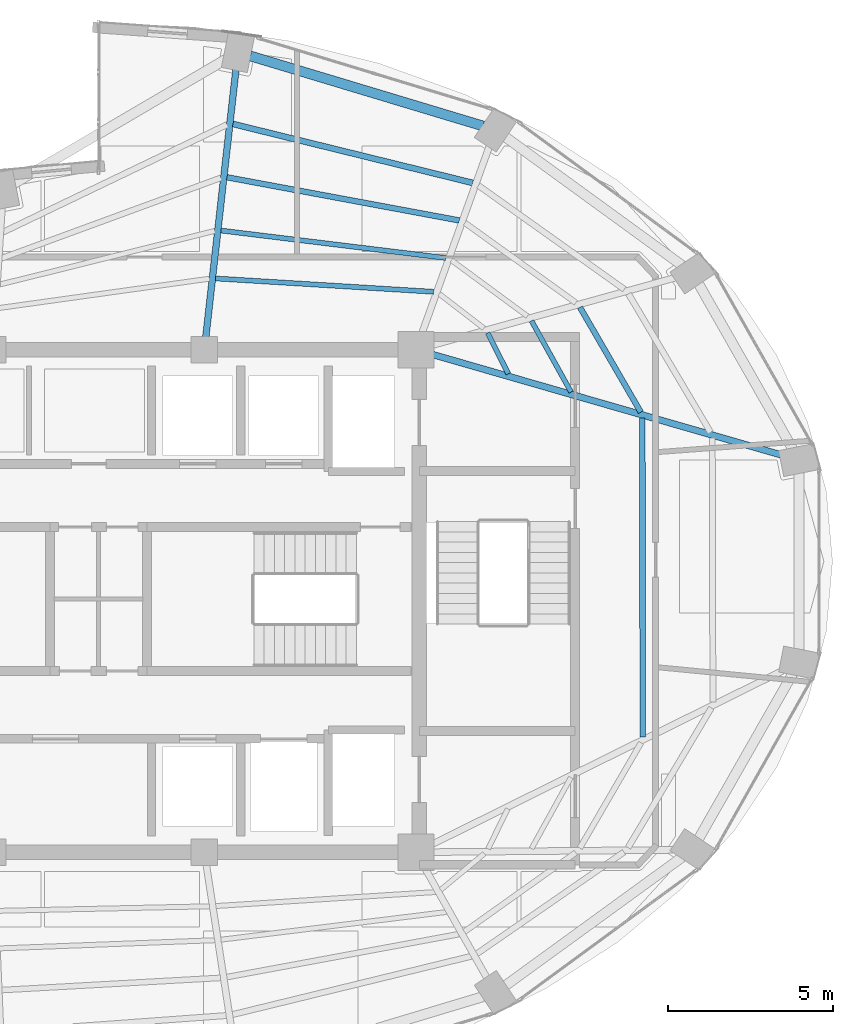
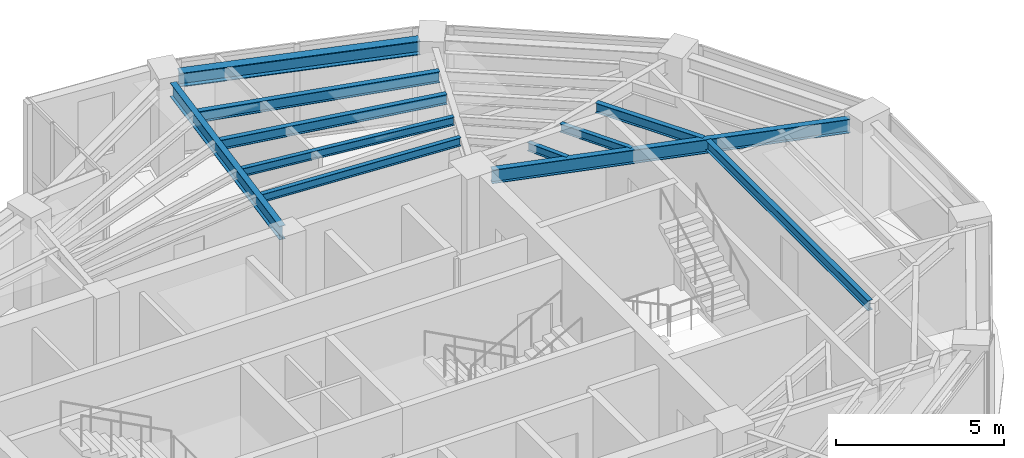
# One storey, part 5 of 15: 11 beams.
"""IFC4 building model written with IfcOpenShell, lengths in metres."""

from ifc_helpers import new_model, si_unit, direction, frame, origin, origin_2d, place, context, subcontext, project, spatial, i_section, extrude, material, material_profile, profile_set, type_object, element, save


model = new_model("IFC4")

# Units and contexts
model_context = context("Model", 3, precision=1e-05, world=origin(), true_north=direction((0.0, 1.0)))
body_context = subcontext(model_context, "Body", "Model", "MODEL_VIEW")
ifc_project = project(units=[si_unit("LENGTHUNIT", "METRE"), si_unit("AREAUNIT", "SQUARE_METRE"), si_unit("VOLUMEUNIT", "CUBIC_METRE"), si_unit("PLANEANGLEUNIT", "RADIAN"), si_unit("MASSUNIT", "GRAM", prefix="KILO")], contexts=[model_context])

# Site, building, storey
site_placement = place(None, origin())
site = spatial("IfcSite", under=ifc_project, at=site_placement, CompositionType="ELEMENT")
building_placement = place(site_placement, origin())
building = spatial("IfcBuilding", under=site, at=building_placement, Name="Lazwardi Medical Tower", CompositionType="ELEMENT")
storey_placement = place(building_placement, frame((0.0, 0.0, 284.2080078125)))
storey = spatial("IfcBuildingStorey", under=building, at=storey_placement, Name="L74", CompositionType="ELEMENT", Elevation=284.2080078125)

# Beams
ifc_material = material(Name="Steel S355", Category="steel")
ifc_material_profile_1 = material_profile(ifc_material, i_section(OverallWidth=0.300048828125, OverallDepth=0.5, WebThickness=0.014404296875, FlangeThickness=0.028076171875, at=origin_2d()), Name="HEB 500")
ifc_profile_set_1 = profile_set([ifc_material_profile_1], Name="Steel S355")
beam_type_1 = type_object("IfcBeamType", Name="BM-RB-Z4", PredefinedType="BEAM", material=ifc_profile_set_1)
beam_1_placement = place(storey_placement, frame((47.626953125, 42.366455078125, 3.197998046875), z_axis=(-0.957544311906, 0.288286126506, 0.0), x_axis=(-0.288286126506, -0.957544311906, 0.0)))
element("IfcBeam", 1, at=beam_1_placement, inside=storey, type_object=beam_type_1, Name="Ring beam RB-05 B07 L74", PredefinedType="BEAM", context=body_context, shape_type="SweptSolid", body=[
    extrude(i_section(OverallWidth=0.300048828125, OverallDepth=0.5, WebThickness=0.014404296875, FlangeThickness=0.028076171875, at=origin_2d()), origin(), (0.0, 0.0, 1.0), 7.3515625),
])
ifc_material_profile_2 = material_profile(ifc_material, i_section(OverallWidth=0.199951171875, OverallDepth=0.5, WebThickness=0.01025390625, FlangeThickness=0.01611328125, at=origin_2d()), Name="IPE 500")
ifc_profile_set_2 = profile_set([ifc_material_profile_2], Name="Steel S355")
beam_type_2 = type_object("IfcBeamType", Name="BM-RG-W3", PredefinedType="BEAM", material=ifc_profile_set_2)
beam_2_placement = place(storey_placement, frame((56.6708984375, 32.410888671875, 3.197998046875), z_axis=(-0.960926292206, 0.276804373065, 0.0), x_axis=(-0.276804373065, -0.960926292206, 0.0)))
element("IfcBeam", 2, at=beam_2_placement, inside=storey, type_object=beam_type_2, Name="Radial girder RG-04 R05 L74", PredefinedType="BEAM", context=body_context, shape_type="SweptSolid", body=[
    extrude(i_section(OverallWidth=0.199951171875, OverallDepth=0.5, WebThickness=0.01025390625, FlangeThickness=0.01611328125, at=origin_2d()), origin(), (0.0, 0.0, 1.0), 10.986083984375),
])
beam_3_placement = place(storey_placement, frame((40.154052734375, 44.066650390625, 3.197998046875), z_axis=(-0.11196962105, -0.993711630183, 0.0), x_axis=(0.993711630183, -0.11196962105, 0.0)))
element("IfcBeam", 3, at=beam_3_placement, inside=storey, type_object=beam_type_2, Name="Radial girder RG-04 R08 L74", PredefinedType="BEAM", context=body_context, shape_type="SweptSolid", body=[
    extrude(i_section(OverallWidth=0.199951171875, OverallDepth=0.5, WebThickness=0.01025390625, FlangeThickness=0.01611328125, at=origin_2d()), origin(), (0.0, 0.0, 1.0), 8.13525390625),
])
ifc_material_profile_3 = material_profile(ifc_material, i_section(OverallWidth=0.179931640625, OverallDepth=0.39990234375, WebThickness=0.008544921875, FlangeThickness=0.013427734375, at=origin_2d()), Name="IPE 400")
ifc_profile_set_3 = profile_set([ifc_material_profile_3], Name="Steel S355")
beam_type_3 = type_object("IfcBeamType", Name="BM-SJ-01", PredefinedType="JOIST", material=ifc_profile_set_3)
beam_4_placement = place(storey_placement, frame((47.319091796875, 40.64404296875, 3.248046875), z_axis=(-0.971096035988, 0.23868910509, 0.0), x_axis=(-0.23868910509, -0.971096035988, 0.0)))
element("IfcBeam", 4, at=beam_4_placement, inside=storey, type_object=beam_type_3, Name="Secondary joist SJ-01 R1 B07 L74", PredefinedType="JOIST", context=body_context, shape_type="SweptSolid", body=[
    extrude(i_section(OverallWidth=0.179931640625, OverallDepth=0.39990234375, WebThickness=0.008544921875, FlangeThickness=0.013427734375, at=origin_2d()), origin(), (0.0, 0.0, 1.0), 7.470703125),
])
ifc_material_profile_4 = material_profile(ifc_material, i_section(OverallWidth=0.169921875, OverallDepth=0.360107421875, WebThickness=0.008056640625, FlangeThickness=0.0126953125, at=origin_2d()), Name="IPE 360")
ifc_profile_set_4 = profile_set([ifc_material_profile_4], Name="Steel S355")
beam_type_4 = type_object("IfcBeamType", Name="BM-SJ-02", PredefinedType="JOIST", material=ifc_profile_set_4)
beam_5_placement = place(storey_placement, frame((52.455078125, 23.889892578125, 3.26806640625), z_axis=(-0.000708932372, 0.999999748707, 0.0), x_axis=(-0.999999748707, -0.000708932372, 0.0)))
element("IfcBeam", 5, at=beam_5_placement, inside=storey, type_object=beam_type_4, Name="Secondary joist SJ-02 R2 B04 L74", PredefinedType="JOIST", context=body_context, shape_type="SweptSolid", body=[
    extrude(i_section(OverallWidth=0.169921875, OverallDepth=0.360107421875, WebThickness=0.008056640625, FlangeThickness=0.0126953125, at=origin_2d()), origin(), (0.0, 0.0, 1.0), 9.642578125),
])
beam_6_placement = place(storey_placement, frame((52.400390625, 33.70947265625, 3.26806640625), z_axis=(-0.501626451559, 0.865084332939, 0.0), x_axis=(-0.865084332939, -0.501626451559, 0.0)))
element("IfcBeam", 6, at=beam_6_placement, inside=storey, type_object=beam_type_4, Name="Secondary joist SJ-02 R2 B05 L74", PredefinedType="JOIST", context=body_context, shape_type="SweptSolid", body=[
    extrude(i_section(OverallWidth=0.169921875, OverallDepth=0.360107421875, WebThickness=0.008056640625, FlangeThickness=0.0126953125, at=origin_2d()), origin(), (0.0, 0.0, 1.0), 3.668212890625),
])
beam_7_placement = place(storey_placement, frame((46.910400390625, 39.50927734375, 3.26806640625), z_axis=(-0.98315560802, 0.182770485635, 0.0), x_axis=(-0.182770485635, -0.98315560802, 0.0)))
element("IfcBeam", 7, at=beam_7_placement, inside=storey, type_object=beam_type_4, Name="Secondary joist SJ-02 R2 B07 L74", PredefinedType="JOIST", context=body_context, shape_type="SweptSolid", body=[
    extrude(i_section(OverallWidth=0.169921875, OverallDepth=0.360107421875, WebThickness=0.008056640625, FlangeThickness=0.0126953125, at=origin_2d()), origin(), (0.0, 0.0, 1.0), 7.147705078125),
])
ifc_material_profile_5 = material_profile(ifc_material, i_section(OverallWidth=0.14990234375, OverallDepth=0.300048828125, WebThickness=0.007080078125, FlangeThickness=0.0107421875, at=origin_2d()), Name="IPE 300")
ifc_profile_set_5 = profile_set([ifc_material_profile_5], Name="Steel S355")
beam_type_5 = type_object("IfcBeamType", Name="BM-SJ-03", PredefinedType="JOIST", material=ifc_profile_set_5)
beam_8_placement = place(storey_placement, frame((50.290771484375, 34.318603515625, 3.298095703125), z_axis=(-0.485634526525, 0.874161945321, 0.0), x_axis=(-0.874161945321, -0.485634526525, 0.0)))
element("IfcBeam", 8, at=beam_8_placement, inside=storey, type_object=beam_type_5, Name="Secondary joist SJ-03 R3 B05 L74", PredefinedType="JOIST", context=body_context, shape_type="SweptSolid", body=[
    extrude(i_section(OverallWidth=0.14990234375, OverallDepth=0.300048828125, WebThickness=0.007080078125, FlangeThickness=0.0107421875, at=origin_2d()), origin(), (0.0, 0.0, 1.0), 2.46630859375),
])
beam_9_placement = place(storey_placement, frame((46.502197265625, 38.373779296875, 3.298095703125), z_axis=(-0.992619429406, 0.121271053287, 0.0), x_axis=(-0.121271053287, -0.992619429406, 0.0)))
element("IfcBeam", 9, at=beam_9_placement, inside=storey, type_object=beam_type_5, Name="Secondary joist SJ-03 R3 B07 L74", PredefinedType="JOIST", context=body_context, shape_type="SweptSolid", body=[
    extrude(i_section(OverallWidth=0.14990234375, OverallDepth=0.300048828125, WebThickness=0.007080078125, FlangeThickness=0.0107421875, at=origin_2d()), origin(), (0.0, 0.0, 1.0), 6.850830078125),
])
beam_10_placement = place(storey_placement, frame((48.393798828125, 34.867919921875, 3.298095703125), z_axis=(-0.449607078784, 0.893226440891, 0.0), x_axis=(-0.893226440891, -0.449607078784, 0.0)))
element("IfcBeam", 10, at=beam_10_placement, inside=storey, type_object=beam_type_5, Name="Secondary joist SJ-03 R4 B05 L74", PredefinedType="JOIST", context=body_context, shape_type="SweptSolid", body=[
    extrude(i_section(OverallWidth=0.14990234375, OverallDepth=0.300048828125, WebThickness=0.007080078125, FlangeThickness=0.0107421875, at=origin_2d()), origin(), (0.0, 0.0, 1.0), 1.38623046875),
])
beam_11_placement = place(storey_placement, frame((46.135009765625, 37.3515625, 3.298095703125), z_axis=(-0.998131677286, 0.061099548269, 0.0), x_axis=(-0.061099548269, -0.998131677286, 0.0)))
element("IfcBeam", 11, at=beam_11_placement, inside=storey, type_object=beam_type_5, Name="Secondary joist SJ-03 R4 B07 L74", PredefinedType="JOIST", context=body_context, shape_type="SweptSolid", body=[
    extrude(i_section(OverallWidth=0.14990234375, OverallDepth=0.300048828125, WebThickness=0.007080078125, FlangeThickness=0.0107421875, at=origin_2d()), origin(), (0.0, 0.0, 1.0), 6.609130859375),
])

save(model, "model.ifc")
